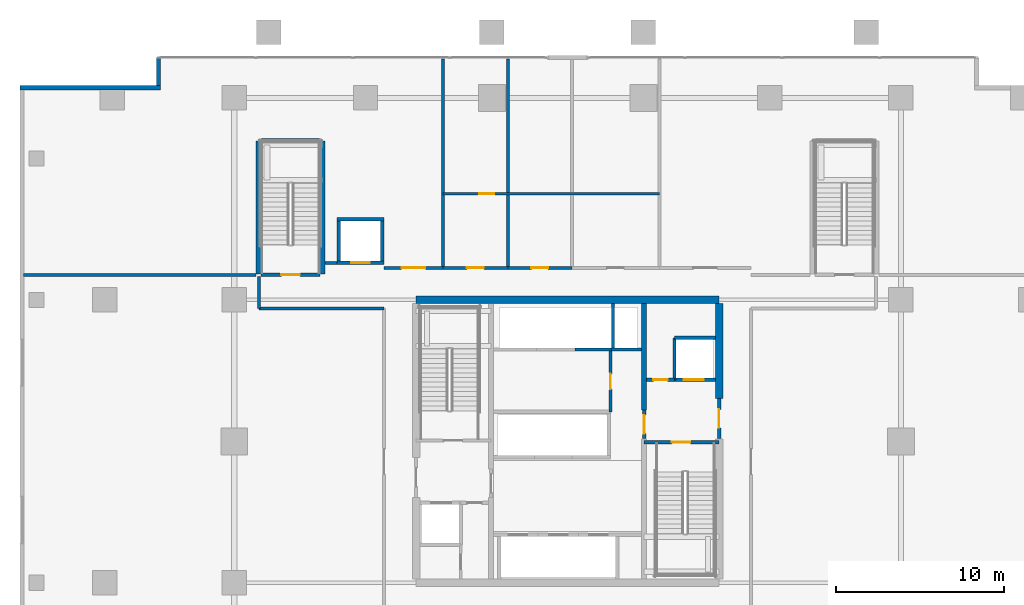
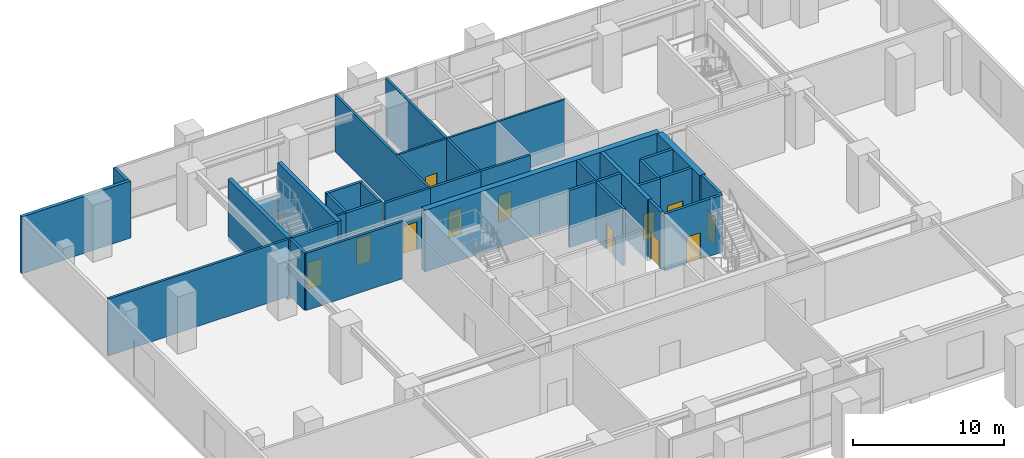
# One storey, part 14 of 20: 34 walls, 12 doors, 12 openings.
"""IFC4 building model written with IfcOpenShell, lengths in metres."""

import ifcopenshell
import ifcopenshell.guid

model = None  # the IFC model being written
_history = None  # IfcOwnerHistory: only IFC2X3 demands one
_inside = {}  # id of a spatial element -> (the spatial element, [elements in it])
_under = {}  # id of a project, library or spatial element -> (it, [spatial elements below it])
_declared = {}  # id of a project -> (the project, [libraries it declares])
_typed = {}  # id of a type object -> (the type object, [elements of that type])
_made_of = {}  # id of a material, layer set ... -> (it, [elements and type objects made of it])


def new_model(schema):
    """Start an empty IFC model of exactly this schema.

    Asked for "IFC4X3", IfcOpenShell would pick the latest addendum, in which some entities
    have other attributes; the version numbers below select the first issue.
    IFC2X3 requires an IfcOwnerHistory on every rooted entity: one is made here for all.
    """
    global model, _history
    if schema == "IFC4X3":
        model = ifcopenshell.file(schema_version=(4, 3, 0, 0))
    else:
        model = ifcopenshell.file(schema=schema)
    _inside.clear()
    _under.clear()
    _declared.clear()
    _typed.clear()
    _made_of.clear()
    _history = None
    if model.schema == "IFC2X3":
        org = make("IfcOrganization", Name="unknown")
        user = make(
            "IfcPersonAndOrganization",
            ThePerson=make("IfcPerson", FamilyName="unknown"),
            TheOrganization=org,
        )
        app = make(
            "IfcApplication",
            ApplicationDeveloper=org,
            Version="unknown",
            ApplicationFullName="unknown",
            ApplicationIdentifier="unknown",
        )
        _history = make(
            "IfcOwnerHistory",
            OwningUser=user,
            OwningApplication=app,
            ChangeAction="ADDED",
            CreationDate=0,
        )
    return model


def make(cls, **values):
    """One entity of the class cls with the attributes given. An attribute that is None is left unset."""
    return model.create_entity(
        cls, **{name: value for name, value in values.items() if value is not None}
    )


def rooted(cls, **values):
    """An entity with a GlobalId (a new one), such as an element, a storey or a relation."""
    return make(cls, GlobalId=ifcopenshell.guid.new(), OwnerHistory=_history, **values)


def si_unit(unit_type, name, prefix=None):
    """IfcSIUnit, for example si_unit("LENGTHUNIT", "METRE", prefix="MILLI")."""
    return make("IfcSIUnit", UnitType=unit_type, Prefix=prefix, Name=name)


def assignment(units):
    """IfcUnitAssignment: the units of a project."""
    return None if units is None else make("IfcUnitAssignment", Units=units)


def point(xyz):
    """IfcCartesianPoint."""
    return None if xyz is None else make("IfcCartesianPoint", Coordinates=xyz)


def direction(xyz):
    """IfcDirection."""
    return None if xyz is None else make("IfcDirection", DirectionRatios=xyz)


def frame(location, z_axis=None, x_axis=None):
    """IfcAxis2Placement3D, a coordinate frame: its origin and axes. An axis left out is left unset."""
    return make(
        "IfcAxis2Placement3D",
        Location=point(location),
        Axis=direction(z_axis),
        RefDirection=direction(x_axis),
    )


def frame_2d(location, x_axis=None):
    """IfcAxis2Placement2D, a coordinate frame in the plane: its origin and x axis."""
    return make(
        "IfcAxis2Placement2D", Location=point(location), RefDirection=direction(x_axis)
    )


def origin():
    """The frame at (0, 0, 0) with its axes left unset."""
    return frame((0.0, 0.0, 0.0))


def place(relative_to, where):
    """IfcLocalPlacement: puts the frame where relative to a parent placement (None: the world)."""
    return make(
        "IfcLocalPlacement", PlacementRelTo=relative_to, RelativePlacement=where
    )


def context(
    kind, dimensions, precision=None, world=None, true_north=None, identifier=None
):
    """IfcGeometricRepresentationContext, for example the 3D "Model" context."""
    return make(
        "IfcGeometricRepresentationContext",
        ContextIdentifier=identifier,
        ContextType=kind,
        CoordinateSpaceDimension=dimensions,
        Precision=precision,
        WorldCoordinateSystem=world,
        TrueNorth=true_north,
    )


def subcontext(parent, identifier, kind, view, scale=None):
    """IfcGeometricRepresentationSubContext, for example "Body" below "Model"."""
    return make(
        "IfcGeometricRepresentationSubContext",
        ContextIdentifier=identifier,
        ContextType=kind,
        ParentContext=parent,
        TargetScale=scale,
        TargetView=view,
    )


def project(units=None, contexts=None):
    """IfcProject with its units and contexts."""
    return rooted(
        "IfcProject",
        Name="project",
        RepresentationContexts=contexts,
        UnitsInContext=assignment(units),
    )


def spatial(cls, under=None, at=None, **own):
    """A site, building, storey or space (cls), placed at a placement, below another one or the project."""
    s = rooted(cls, ObjectPlacement=at, **own)
    if under is not None:
        _under.setdefault(under.id(), (under, []))[1].append(s)
    return s


def profile(cls, at=None, kind="AREA", **sizes):
    """A parametric profile (cls). Its sizes go by their IFC names, for example OverallWidth=200.0."""
    return make(cls, ProfileType=kind, Position=at, **sizes)


def rectangle(**sizes):
    """IfcRectangleProfileDef."""
    return profile("IfcRectangleProfileDef", **sizes)


def extrude(swept, where, along, depth):
    """IfcExtrudedAreaSolid: the profile swept, set in the frame where, extruded along a direction by depth."""
    return make(
        "IfcExtrudedAreaSolid",
        SweptArea=swept,
        Position=where,
        ExtrudedDirection=direction(along),
        Depth=depth,
    )


def shape(context_of_items, identifier, shape_type, items):
    """IfcShapeRepresentation: the items that make up one representation, for example the "Body"."""
    return make(
        "IfcShapeRepresentation",
        ContextOfItems=context_of_items,
        RepresentationIdentifier=identifier,
        RepresentationType=shape_type,
        Items=items,
    )


def source(mapping_origin, context_of_items, identifier, shape_type, items):
    """IfcRepresentationMap: a shape defined once, which mapped items show again and again."""
    return make(
        "IfcRepresentationMap",
        MappingOrigin=mapping_origin,
        MappedRepresentation=shape(context_of_items, identifier, shape_type, items),
    )


def transform(
    local_origin,
    x_axis=None,
    y_axis=None,
    z_axis=None,
    scale=None,
    scale2=None,
    scale3=None,
    uniform=True,
):
    """IfcCartesianTransformationOperator3D, or its non-uniform kind. x_axis, y_axis, z_axis: its Axis1, 2, 3."""
    if uniform:
        return make(
            "IfcCartesianTransformationOperator3D",
            Axis1=direction(x_axis),
            Axis2=direction(y_axis),
            LocalOrigin=point(local_origin),
            Scale=scale,
            Axis3=direction(z_axis),
        )
    return make(
        "IfcCartesianTransformationOperator3DnonUniform",
        Axis1=direction(x_axis),
        Axis2=direction(y_axis),
        LocalOrigin=point(local_origin),
        Scale=scale,
        Axis3=direction(z_axis),
        Scale2=scale2,
        Scale3=scale3,
    )


def mapped(mapping_source, mapping_target):
    """IfcMappedItem: shows the shape of a source again, moved by a transform."""
    return make(
        "IfcMappedItem", MappingSource=mapping_source, MappingTarget=mapping_target
    )


def material(Name=None, Category=None):
    """IfcMaterial."""
    return make("IfcMaterial", Name=Name, Category=Category)


def layer(
    of_material, thickness, ventilated=None, Name=None, Category=None, Priority=None
):
    """IfcMaterialLayer: one layer of a wall or slab, of a material (None: an air gap)."""
    return make(
        "IfcMaterialLayer",
        Material=of_material,
        LayerThickness=thickness,
        IsVentilated=ventilated,
        Name=Name,
        Category=Category,
        Priority=Priority,
    )


def layer_set(layers, Name=None):
    """IfcMaterialLayerSet."""
    return make("IfcMaterialLayerSet", MaterialLayers=layers, LayerSetName=Name)


def made_of(thing, what):
    """Note that an element or type object is made of a material, layer set ...; save() writes the relation."""
    if what is not None:
        _made_of.setdefault(what.id(), (what, []))[1].append(thing)
    return thing


def type_object(cls, material=None, **own):
    """A type object (cls), such as IfcWallType, which elements share."""
    return made_of(rooted(cls, **own), material)


def element(
    cls,
    number,
    at=None,
    inside=None,
    cuts=None,
    type_object=None,
    material=None,
    context=None,
    identifier="Body",
    shape_type=None,
    held_by="IfcProductDefinitionShape",
    body=None,
    shapes=None,
    **own,
):
    """One element of the class cls, such as IfcWall. Its Tag is "e" and its number.

    at: its placement. inside: the storey or other place that contains it. cuts: it is an
    opening in that element (IfcRelVoidsElement). A single representation is given by context,
    identifier, shape_type and body (its items); several are given by shapes. held_by: the class
    of the entity that holds the representations. save() writes the other relations.
    """
    e = rooted(cls, Tag="e%d" % number, ObjectPlacement=at, **own)
    if body is not None:
        shapes = [shape(context, identifier, shape_type, body)]
    if shapes is not None:
        e.Representation = make(held_by, Representations=shapes)
    if inside is not None:
        _inside.setdefault(inside.id(), (inside, []))[1].append(e)
    if cuts is not None:
        rooted(
            "IfcRelVoidsElement", RelatingBuildingElement=cuts, RelatedOpeningElement=e
        )
    if type_object is not None:
        _typed.setdefault(type_object.id(), (type_object, []))[1].append(e)
    return made_of(e, material)


def fill(opening, filler):
    """IfcRelFillsElement: the door or window that sits in an opening."""
    return rooted(
        "IfcRelFillsElement",
        RelatingOpeningElement=opening,
        RelatedBuildingElement=filler,
    )


def aggregate(whole, parts):
    """IfcRelAggregates: a whole, such as a stair, and the parts it consists of."""
    return rooted("IfcRelAggregates", RelatingObject=whole, RelatedObjects=parts)


def save(model, path):
    """Write the relations noted so far, then the file.

    IfcRelAggregates (storeys below a building ...), IfcRelContainedInSpatialStructure (elements
    in a storey), IfcRelDefinesByType, IfcRelAssociatesMaterial and IfcRelDeclares: one each for
    every whole, place, type object, material and project.
    """
    for whole, parts in _under.values():
        aggregate(whole, parts)
    for where, things in _inside.values():
        rooted(
            "IfcRelContainedInSpatialStructure",
            RelatedElements=things,
            RelatingStructure=where,
        )
    for kind, things in _typed.values():
        rooted("IfcRelDefinesByType", RelatedObjects=things, RelatingType=kind)
    for what, things in _made_of.values():
        rooted("IfcRelAssociatesMaterial", RelatedObjects=things, RelatingMaterial=what)
    for by, libraries in _declared.values():
        rooted("IfcRelDeclares", RelatingContext=by, RelatedDefinitions=libraries)
    model.write(path)


model = new_model("IFC4")

# Units and contexts
model_context = context("Model", 3, precision=1e-05, world=origin(), true_north=direction((0.0, 1.0)))
body_context = subcontext(model_context, "Body", "Model", "MODEL_VIEW")
ifc_project = project(units=[si_unit("LENGTHUNIT", "METRE"), si_unit("AREAUNIT", "SQUARE_METRE"), si_unit("VOLUMEUNIT", "CUBIC_METRE"), si_unit("PLANEANGLEUNIT", "RADIAN"), si_unit("MASSUNIT", "GRAM", prefix="KILO")], contexts=[model_context])

# Site, building, storey
site_placement = place(None, origin())
site = spatial("IfcSite", under=ifc_project, at=site_placement, CompositionType="ELEMENT")
building_placement = place(site_placement, origin())
building = spatial("IfcBuilding", under=site, at=building_placement, Name="Serunith Strait Residences", CompositionType="ELEMENT")
storey_placement = place(building_placement, frame((0.0, 0.0, 5.5)))
storey = spatial("IfcBuildingStorey", under=building, at=storey_placement, Name="L01", CompositionType="ELEMENT", Elevation=5.5)

# Walls
ifc_material_1 = material(Name="Pale-Silver Aluminium Terracotta-Backed Wall", Category="masonry")
ifc_layer_1 = layer(ifc_material_1, 0.25, Name="Pale-Silver Aluminium Terracotta-Backed Wall")
ifc_layer_set_1 = layer_set([ifc_layer_1], Name="Pale-Silver Aluminium Terracotta-Backed Wall")
wall_type_1 = type_object("IfcWallType", Name="EW-POD-250", PredefinedType="ELEMENTEDWALL", material=ifc_layer_set_1)
wall_1_placement = place(storey_placement, frame((8.10009765625, 48.0, 0.0), z_axis=(0.0, 0.0, 1.0), x_axis=(0.0, -1.0, 0.0)))
element("IfcWall", 1, at=wall_1_placement, inside=storey, type_object=wall_type_1, Name="L01 Podium Envelope Wall 10", PredefinedType="ELEMENTEDWALL", context=body_context, shape_type="SweptSolid", body=[
    extrude(rectangle(XDim=1.675048828125, YDim=0.25, at=frame_2d((0.83740234375, 0.0))), origin(), (0.0, 0.0, 1.0), 4.60498046875),
])
wall_2_placement = place(storey_placement, frame((8.22509765625, 46.199951171875, 0.0), z_axis=(0.0, 0.0, 1.0), x_axis=(-1.0, 0.0, 0.0)))
element("IfcWall", 2, at=wall_2_placement, inside=storey, type_object=wall_type_1, Name="L01 Podium Envelope Wall 11", PredefinedType="ELEMENTEDWALL", context=body_context, shape_type="SweptSolid", body=[
    extrude(rectangle(XDim=8.35009765625, YDim=0.25, at=frame_2d((4.175048828125, 0.0))), origin(), (0.0, 0.0, 1.0), 4.60498046875),
])

# Wall, opening, door
ifc_material_2 = material(Name="Fire-rated masonry service closet wall", Category="masonry")
ifc_layer_2 = layer(ifc_material_2, 0.14990234375, Name="Fire-rated masonry service closet wall")
ifc_layer_set_2 = layer_set([ifc_layer_2], Name="Fire-rated masonry service closet wall")
wall_type_2 = type_object("IfcWallType", Name="IW-BOH-150", PredefinedType="PARTITIONING", material=ifc_layer_set_2)
wall_3_placement = place(storey_placement, frame((25.0, 39.89990234375, 0.0), z_axis=(0.0, 0.0, 1.0), x_axis=(1.0, 0.0, 0.0)))
wall_3 = element("IfcWall", 3, at=wall_3_placement, inside=storey, type_object=wall_type_2, Name="L01 Partition Wall 040", PredefinedType="PARTITIONING", context=body_context, shape_type="SweptSolid", body=[
    extrude(rectangle(XDim=12.85009765625, YDim=0.14990234375, at=frame_2d((6.425048828125, 0.0))), origin(), (0.0, 0.0, 1.0), 4.6201171875),
])
opening_1_placement = place(wall_3_placement, frame((2.15087890625, 0.0, 0.0)))
opening_1 = element("IfcOpeningElement", 4, at=opening_1_placement, cuts=wall_3, Name="Opening FD-900", PredefinedType="OPENING", context=body_context, shape_type="SweptSolid", body=[
    extrude(rectangle(XDim=0.89990234375, YDim=2.10009765625, at=frame_2d((0.449951171875, 1.050048828125))), frame((0.0, 0.0849609375, 0.0), z_axis=(0.0, -1.0, 0.0), x_axis=(1.0, 0.0, 0.0)), (0.0, 0.0, 1.0), 0.169921875),
])
ifc_material_3 = material(Name="Powder-coated steel riser door", Category="steel")
door_type_1 = type_object("IfcDoorType", Name="FD-BOH-900", OperationType="NOTDEFINED", PredefinedType="DOOR", material=ifc_material_3)
shared_shape_1 = source(origin(), body_context, "Body", "SweptSolid", [
    extrude(rectangle(XDim=0.89990234375, YDim=2.10009765625, at=frame_2d((0.449951171875, 1.050048828125))), frame((0.0, 0.02490234375, 0.0), z_axis=(0.0, -1.0, 0.0), x_axis=(1.0, 0.0, 0.0)), (0.0, 0.0, 1.0), 0.050048828125),
])
door_1_placement = place(opening_1_placement, origin())
door_1 = element("IfcDoor", 5, at=door_1_placement, inside=storey, type_object=door_type_1, Name="L01 Linen Store Door", OperationType="SINGLE_SWING_RIGHT", OverallHeight=2.10009765625, OverallWidth=0.89990234375, PredefinedType="DOOR", context=body_context, shape_type="MappedRepresentation", body=[
    mapped(shared_shape_1, transform((0.0, 0.0, 0.0), scale=1.0)),
])
fill(opening_1, door_1)

# Walls
ifc_material_4 = material(Name="Fire-rated acoustic gypsum partition")
ifc_layer_3 = layer(ifc_material_4, 0.179931640625, Name="Fire-rated acoustic gypsum partition")
ifc_layer_set_3 = layer_set([ifc_layer_3], Name="Fire-rated acoustic gypsum partition")
wall_type_3 = type_object("IfcWallType", Name="IW-CORR-180", PredefinedType="PARTITIONING", material=ifc_layer_set_3)
wall_4_placement = place(storey_placement, frame((0.08203125, 35.080078125, 0.0), z_axis=(0.0, 0.0, 1.0), x_axis=(1.0, 0.0, 0.0)))
element("IfcWall", 6, at=wall_4_placement, inside=storey, type_object=wall_type_3, Name="L01 Partition Wall 016", PredefinedType="PARTITIONING", context=body_context, shape_type="SweptSolid", body=[
    extrude(rectangle(XDim=13.81787109375, YDim=0.179931640625, at=frame_2d((6.908935546875, 0.0))), origin(), (0.0, 0.0, 1.0), 4.6201171875),
])
wall_5_placement = place(storey_placement, frame((14.080078125, 33.080078125, 0.0), z_axis=(0.0, 0.0, 1.0), x_axis=(1.0, 0.0, 0.0)))
element("IfcWall", 7, at=wall_5_placement, inside=storey, type_object=wall_type_3, Name="L01 Partition Wall 017", PredefinedType="PARTITIONING", context=body_context, shape_type="SweptSolid", body=[
    extrude(rectangle(XDim=7.419921875, YDim=0.179931640625, at=frame_2d((3.7099609375, 0.0))), origin(), (0.0, 0.0, 1.0), 4.6201171875),
])
wall_6_placement = place(storey_placement, frame((18.0, 35.800048828125, 0.0), z_axis=(0.0, 0.0, 1.0), x_axis=(1.0, 0.0, 0.0)))
element("IfcWall", 8, at=wall_6_placement, inside=storey, type_object=wall_type_3, Name="L01 Partition Wall 018", PredefinedType="PARTITIONING", context=body_context, shape_type="SweptSolid", body=[
    extrude(rectangle(XDim=0.697998046875, YDim=0.179931640625, at=frame_2d((0.34912109375, 0.0))), origin(), (0.0, 0.0, 1.0), 4.6201171875),
])
wall_7_placement = place(storey_placement, frame((14.080078125, 33.080078125, 0.0), z_axis=(0.0, 0.0, 1.0), x_axis=(0.0, 1.0, 0.0)))
element("IfcWall", 9, at=wall_7_placement, inside=storey, type_object=wall_type_3, Name="L01 Partition Wall 022", PredefinedType="PARTITIONING", context=body_context, shape_type="SweptSolid", body=[
    extrude(rectangle(XDim=1.919921875, YDim=0.179931640625, at=frame_2d((0.9599609375, 0.0))), origin(), (0.0, 0.0, 1.0), 4.6201171875),
])
for number, where, z_axis, x_axis, name in (
    (10, (25.0, 35.5, 0.0), (0.0, 0.0, 1.0), (0.0, 1.0, 0.0), "L01 Partition Wall 026"),
    (11, (28.85009765625, 35.5, 0.0), (0.0, 0.0, 1.0), (0.0, 1.0, 0.0), "L01 Partition Wall 027"),
):
    element("IfcWall", number, at=place(storey_placement, frame(where, z_axis=z_axis, x_axis=x_axis)), inside=storey, type_object=wall_type_3, Name=name, PredefinedType="PARTITIONING", context=body_context, shape_type="SweptSolid", body=[
        extrude(rectangle(XDim=12.41796875, YDim=0.179931640625, at=frame_2d((6.208984375, 0.0))), origin(), (0.0, 0.0, 1.0), 4.6201171875),
    ])

# Wall, opening, door
wall_8_placement = place(storey_placement, frame((21.5, 35.5, 0.0), z_axis=(0.0, 0.0, 1.0), x_axis=(1.0, 0.0, 0.0)))
wall_8 = element("IfcWall", 12, at=wall_8_placement, inside=storey, type_object=wall_type_3, Name="L01 Partition Wall 033", PredefinedType="PARTITIONING", context=body_context, shape_type="SweptSolid", body=[
    extrude(rectangle(XDim=3.5, YDim=0.179931640625, at=frame_2d((1.75, 0.0))), origin(), (0.0, 0.0, 1.0), 4.6201171875),
])
opening_2_placement = place(wall_8_placement, frame((1.050048828125, 0.0, 0.0)))
opening_2 = element("IfcOpeningElement", 13, at=opening_2_placement, cuts=wall_8, Name="Opening D-POD1400", PredefinedType="OPENING", context=body_context, shape_type="SweptSolid", body=[
    extrude(rectangle(XDim=1.39990234375, YDim=2.25, at=frame_2d((0.699951171875, 1.125))), frame((0.0, 0.10009765625, 0.0), z_axis=(0.0, -1.0, 0.0), x_axis=(1.0, 0.0, 0.0)), (0.0, 0.0, 1.0), 0.199951171875),
])
ifc_material_5 = material(Name="Pale-champagne aluminium glazed suite door", Category="aluminium")
door_type_2 = type_object("IfcDoorType", Name="ID-POD-1400", OperationType="DOUBLE_DOOR_SINGLE_SWING", PredefinedType="DOOR", material=ifc_material_5)
shared_shape_2 = source(origin(), body_context, "Body", "SweptSolid", [
    extrude(rectangle(XDim=1.39990234375, YDim=2.25, at=frame_2d((0.699951171875, 1.125))), frame((0.0, 0.02490234375, 0.0), z_axis=(0.0, -1.0, 0.0), x_axis=(1.0, 0.0, 0.0)), (0.0, 0.0, 1.0), 0.050048828125),
])
door_2_placement = place(opening_2_placement, origin())
door_2 = element("IfcDoor", 14, at=door_2_placement, inside=storey, type_object=door_type_2, Name="L01 North-West Room Door", OperationType="DOUBLE_DOOR_SINGLE_SWING", OverallHeight=2.25, OverallWidth=1.39990234375, PredefinedType="DOOR", context=body_context, shape_type="MappedRepresentation", body=[
    mapped(shared_shape_2, transform((0.0, 0.0, 0.0), scale=1.0)),
])
fill(opening_2, door_2)

wall_9_placement = place(storey_placement, frame((25.001953125, 35.5, 0.0), z_axis=(0.0, 0.0, 1.0), x_axis=(1.0, 0.0, 0.0)))
wall_9 = element("IfcWall", 15, at=wall_9_placement, inside=storey, type_object=wall_type_3, Name="L01 Partition Wall 034", PredefinedType="PARTITIONING", context=body_context, shape_type="SweptSolid", body=[
    extrude(rectangle(XDim=3.84814453125, YDim=0.179931640625, at=frame_2d((1.924072265625, 0.0))), origin(), (0.0, 0.0, 1.0), 4.6201171875),
])
opening_3_placement = place(wall_9_placement, frame((1.424072265625, 0.0, 0.0)))
opening_3 = element("IfcOpeningElement", 16, at=opening_3_placement, cuts=wall_9, Name="Opening D-APT1000", PredefinedType="OPENING", context=body_context, shape_type="SweptSolid", body=[
    extrude(rectangle(XDim=1.0, YDim=2.14990234375, at=frame_2d((0.5, 1.074951171875))), frame((0.0, 0.10009765625, 0.0), z_axis=(0.0, -1.0, 0.0), x_axis=(1.0, 0.0, 0.0)), (0.0, 0.0, 1.0), 0.199951171875),
])
ifc_material_6 = material(Name="Solid timber engineered fire door", Category="wood")
door_type_3 = type_object("IfcDoorType", Name="ID-APT-1000", OperationType="NOTDEFINED", PredefinedType="DOOR", material=ifc_material_6)
shared_shape_3 = source(origin(), body_context, "Body", "SweptSolid", [
    extrude(rectangle(XDim=1.0, YDim=2.14990234375, at=frame_2d((0.5, 1.074951171875))), frame((0.0, 0.02490234375, 0.0), z_axis=(0.0, -1.0, 0.0), x_axis=(1.0, 0.0, 0.0)), (0.0, 0.0, 1.0), 0.050048828125),
])
door_3_placement = place(opening_3_placement, origin())
door_3 = element("IfcDoor", 17, at=door_3_placement, inside=storey, type_object=door_type_3, Name="L01 Accessible WC Door", OperationType="SINGLE_SWING_RIGHT", OverallHeight=2.14990234375, OverallWidth=1.0, PredefinedType="DOOR", context=body_context, shape_type="MappedRepresentation", body=[
    mapped(shared_shape_3, transform((0.0, 0.0, 0.0), scale=1.0)),
])
fill(opening_3, door_3)

wall_10_placement = place(storey_placement, frame((28.85205078125, 35.5, 0.0), z_axis=(0.0, 0.0, 1.0), x_axis=(1.0, 0.0, 0.0)))
wall_10 = element("IfcWall", 18, at=wall_10_placement, inside=storey, type_object=wall_type_3, Name="L01 Partition Wall 035", PredefinedType="PARTITIONING", context=body_context, shape_type="SweptSolid", body=[
    extrude(rectangle(XDim=3.7978515625, YDim=0.179931640625, at=frame_2d((1.89892578125, 0.0))), origin(), (0.0, 0.0, 1.0), 4.6201171875),
])
opening_4_placement = place(wall_10_placement, frame((1.39892578125, 0.0, 0.0)))
opening_4 = element("IfcOpeningElement", 19, at=opening_4_placement, cuts=wall_10, Name="Opening D-APT1000", PredefinedType="OPENING", context=body_context, shape_type="SweptSolid", body=[
    extrude(rectangle(XDim=1.0, YDim=2.14990234375, at=frame_2d((0.5, 1.074951171875))), frame((0.0, 0.10009765625, 0.0), z_axis=(0.0, -1.0, 0.0), x_axis=(1.0, 0.0, 0.0)), (0.0, 0.0, 1.0), 0.199951171875),
])
door_4_placement = place(opening_4_placement, origin())
door_4 = element("IfcDoor", 20, at=door_4_placement, inside=storey, type_object=door_type_3, Name="L01 Public Male WC Door", OperationType="SINGLE_SWING_LEFT", OverallHeight=2.14990234375, OverallWidth=1.0, PredefinedType="DOOR", context=body_context, shape_type="MappedRepresentation", body=[
    mapped(shared_shape_3, transform((0.0, 0.0, 0.0), scale=1.0)),
])
fill(opening_4, door_4)

ifc_material_7 = material(Name="Autoclaved aerated concrete blockwork", Category="masonry")
ifc_layer_4 = layer(ifc_material_7, 0.199951171875, Name="Autoclaved aerated concrete blockwork")
ifc_layer_set_4 = layer_set([ifc_layer_4], Name="Autoclaved aerated concrete blockwork")
wall_type_4 = type_object("IfcWallType", Name="IW-SHAFT-200", PredefinedType="STANDARD", material=ifc_layer_set_4)
wall_11_placement = place(storey_placement, frame((36.949951171875, 25.14990234375, 0.0), z_axis=(0.0, 0.0, 1.0), x_axis=(1.0, 0.0, 0.0)))
wall_11 = element("IfcWall", 21, at=wall_11_placement, inside=storey, type_object=wall_type_4, Name="L01 ST-2 North Shaft Wall", PredefinedType="STANDARD", context=body_context, shape_type="SweptSolid", body=[
    extrude(rectangle(XDim=4.449951171875, YDim=0.199951171875, at=frame_2d((2.22509765625, 0.0))), origin(), (0.0, 0.0, 1.0), 4.6201171875),
])
opening_5_placement = place(wall_11_placement, frame((1.64990234375, 0.0, 0.0)))
opening_5 = element("IfcOpeningElement", 22, at=opening_5_placement, cuts=wall_11, Name="Opening FD-1100", PredefinedType="OPENING", context=body_context, shape_type="SweptSolid", body=[
    extrude(rectangle(XDim=1.10009765625, YDim=2.14990234375, at=frame_2d((0.550048828125, 1.074951171875))), frame((0.0, 0.10986328125, 0.0), z_axis=(0.0, -1.0, 0.0), x_axis=(1.0, 0.0, 0.0)), (0.0, 0.0, 1.0), 0.219970703125),
])
ifc_material_8 = material(Name="Galvanised steel fire door leaf", Category="steel")
door_type_4 = type_object("IfcDoorType", Name="FD-STAIR-1100", OperationType="NOTDEFINED", PredefinedType="DOOR", material=ifc_material_8)
shared_shape_4 = source(origin(), body_context, "Body", "SweptSolid", [
    extrude(rectangle(XDim=1.10009765625, YDim=2.14990234375, at=frame_2d((0.550048828125, 1.074951171875))), frame((0.0, 0.02490234375, 0.0), z_axis=(0.0, -1.0, 0.0), x_axis=(1.0, 0.0, 0.0)), (0.0, 0.0, 1.0), 0.050048828125),
])
door_5_placement = place(opening_5_placement, origin())
door_5 = element("IfcDoor", 23, at=door_5_placement, inside=storey, type_object=door_type_4, Name="L01 ST-2 Escape Stair Door", OperationType="SINGLE_SWING_RIGHT", OverallHeight=2.14990234375, OverallWidth=1.10009765625, PredefinedType="DOOR", context=body_context, shape_type="MappedRepresentation", body=[
    mapped(shared_shape_4, transform((0.0, 0.0, 0.0), scale=1.0)),
])
fill(opening_5, door_5)

wall_12_placement = place(storey_placement, frame((14.199951171875, 35.10009765625, 0.0), z_axis=(0.0, 0.0, 1.0), x_axis=(1.0, 0.0, 0.0)))
wall_12 = element("IfcWall", 24, at=wall_12_placement, inside=storey, type_object=wall_type_4, Name="L01 ST-3 South Shaft Wall", PredefinedType="STANDARD", context=body_context, shape_type="SweptSolid", body=[
    extrude(rectangle(XDim=3.5, YDim=0.199951171875, at=frame_2d((1.75, 0.0))), origin(), (0.0, 0.0, 1.0), 4.6201171875),
])
opening_6_placement = place(wall_12_placement, frame((1.199951171875, 0.0, 0.0)))
opening_6 = element("IfcOpeningElement", 25, at=opening_6_placement, cuts=wall_12, Name="Opening FD-1100", PredefinedType="OPENING", context=body_context, shape_type="SweptSolid", body=[
    extrude(rectangle(XDim=1.10009765625, YDim=2.14990234375, at=frame_2d((0.550048828125, 1.074951171875))), frame((0.0, 0.10986328125, 0.0), z_axis=(0.0, -1.0, 0.0), x_axis=(1.0, 0.0, 0.0)), (0.0, 0.0, 1.0), 0.219970703125),
])
door_6_placement = place(opening_6_placement, origin())
door_6 = element("IfcDoor", 26, at=door_6_placement, inside=storey, type_object=door_type_4, Name="L01 ST-3 Escape Stair Door", OperationType="SINGLE_SWING_LEFT", OverallHeight=2.14990234375, OverallWidth=1.10009765625, PredefinedType="DOOR", context=body_context, shape_type="MappedRepresentation", body=[
    mapped(shared_shape_4, transform((0.0, 0.0, 0.0), scale=1.0)),
])
fill(opening_6, door_6)

# Wall
wall_13_placement = place(storey_placement, frame((14.199951171875, 43.10009765625, 0.0), z_axis=(0.0, 0.0, 1.0), x_axis=(1.0, 0.0, 0.0)))
element("IfcWall", 27, at=wall_13_placement, inside=storey, type_object=wall_type_4, Name="L01 ST-3 North Shaft Wall", PredefinedType="STANDARD", context=body_context, shape_type="SweptSolid", body=[
    extrude(rectangle(XDim=3.5, YDim=0.199951171875, at=frame_2d((1.75, 0.0))), origin(), (0.0, 0.0, 1.0), 1.985107421875),
])

# Wall, opening, door
wall_14_placement = place(storey_placement, frame((38.75, 28.85009765625, 0.0), z_axis=(0.0, 0.0, 1.0), x_axis=(1.0, 0.0, 0.0)))
wall_14 = element("IfcWall", 28, at=wall_14_placement, inside=storey, type_object=wall_type_4, Name="L01 FL-2 South Shaft Wall", PredefinedType="STANDARD", context=body_context, shape_type="SweptSolid", body=[
    extrude(rectangle(XDim=2.425048828125, YDim=0.199951171875, at=frame_2d((1.21240234375, 0.0))), origin(), (0.0, 0.0, 1.0), 4.6201171875),
])
opening_7_placement = place(wall_14_placement, frame((0.550048828125, 0.0, 0.0)))
opening_7 = element("IfcOpeningElement", 29, at=opening_7_placement, cuts=wall_14, Name="Opening LD-FF1200", PredefinedType="OPENING", context=body_context, shape_type="SweptSolid", body=[
    extrude(rectangle(XDim=1.199951171875, YDim=2.199951171875, at=frame_2d((0.60009765625, 1.10009765625))), frame((0.0, 0.10986328125, 0.0), z_axis=(0.0, -1.0, 0.0), x_axis=(1.0, 0.0, 0.0)), (0.0, 0.0, 1.0), 0.219970703125),
])
ifc_material_9 = material(Name="Brushed stainless steel landing door", Category="steel")
door_type_5 = type_object("IfcDoorType", Name="LD-FF-1200", OperationType="DOUBLE_DOOR_SLIDING", PredefinedType="DOOR", material=ifc_material_9)
shared_shape_5 = source(origin(), body_context, "Body", "SweptSolid", [
    extrude(rectangle(XDim=1.199951171875, YDim=2.199951171875, at=frame_2d((0.60009765625, 1.10009765625))), frame((0.0, 0.02490234375, 0.0), z_axis=(0.0, -1.0, 0.0), x_axis=(1.0, 0.0, 0.0)), (0.0, 0.0, 1.0), 0.050048828125),
])
door_7_placement = place(opening_7_placement, origin())
door_7 = element("IfcDoor", 30, at=door_7_placement, inside=storey, type_object=door_type_5, Name="L01 FL-2 Landing Door", OperationType="DOUBLE_DOOR_SLIDING", OverallHeight=2.199951171875, OverallWidth=1.199951171875, PredefinedType="DOOR", context=body_context, shape_type="MappedRepresentation", body=[
    mapped(shared_shape_5, transform((0.0, 0.0, 0.0), scale=1.0)),
])
fill(opening_7, door_7)

# Walls
wall_15_placement = place(storey_placement, frame((32.85009765625, 30.64990234375, 0.0), z_axis=(0.0, 0.0, 1.0), x_axis=(1.0, 0.0, 0.0)))
element("IfcWall", 31, at=wall_15_placement, inside=storey, type_object=wall_type_4, Name="L01 PL-9 South Shaft Wall", PredefinedType="STANDARD", context=body_context, shape_type="SweptSolid", body=[
    extrude(rectangle(XDim=2.14990234375, YDim=0.199951171875, at=frame_2d((1.074951171875, 0.0))), origin(), (0.0, 0.0, 1.0), 4.6201171875),
])
wall_16_placement = place(storey_placement, frame((35.0, 30.64990234375, 0.0), z_axis=(0.0, 0.0, 1.0), x_axis=(1.0, 0.0, 0.0)))
element("IfcWall", 32, at=wall_16_placement, inside=storey, type_object=wall_type_4, Name="L01 SL-1 South Shaft Wall", PredefinedType="STANDARD", context=body_context, shape_type="SweptSolid", body=[
    extrude(rectangle(XDim=1.800048828125, YDim=0.199951171875, at=frame_2d((0.89990234375, 0.0))), origin(), (0.0, 0.0, 1.0), 4.6201171875),
])
wall_17_placement = place(storey_placement, frame((35.10009765625, 30.75, 0.0), z_axis=(0.0, 0.0, 1.0), x_axis=(0.0, 1.0, 0.0)))
element("IfcWall", 33, at=wall_17_placement, inside=storey, type_object=wall_type_4, Name="L01 SL-1 West Shaft Wall", PredefinedType="STANDARD", context=body_context, shape_type="SweptSolid", body=[
    extrude(rectangle(XDim=2.625, YDim=0.199951171875, at=frame_2d((1.3125, 0.0))), origin(), (0.0, 0.0, 1.0), 4.6201171875),
])

# Wall, opening, door
wall_18_placement = place(storey_placement, frame((18.699951171875, 35.800048828125, 0.0), z_axis=(0.0, 0.0, 1.0), x_axis=(1.0, 0.0, 0.0)))
wall_18 = element("IfcWall", 34, at=wall_18_placement, inside=storey, type_object=wall_type_4, Name="L01 SV-1 South Shaft Wall", PredefinedType="STANDARD", context=body_context, shape_type="SweptSolid", body=[
    extrude(rectangle(XDim=2.800048828125, YDim=0.199951171875, at=frame_2d((1.39990234375, 0.0))), origin(), (0.0, 0.0, 1.0), 4.6201171875),
])
opening_8_placement = place(wall_18_placement, frame((0.85009765625, 0.0, 0.0)))
opening_8 = element("IfcOpeningElement", 35, at=opening_8_placement, cuts=wall_18, Name="Opening LD-1100", PredefinedType="OPENING", context=body_context, shape_type="SweptSolid", body=[
    extrude(rectangle(XDim=1.10009765625, YDim=2.199951171875, at=frame_2d((0.550048828125, 1.10009765625))), frame((0.0, 0.10986328125, 0.0), z_axis=(0.0, -1.0, 0.0), x_axis=(1.0, 0.0, 0.0)), (0.0, 0.0, 1.0), 0.219970703125),
])
ifc_material_10 = material(Name="Pale-champagne stainless landing door")
door_type_6 = type_object("IfcDoorType", Name="LD-LIFT-1100", OperationType="DOUBLE_DOOR_SLIDING", PredefinedType="DOOR", material=ifc_material_10)
shared_shape_6 = source(origin(), body_context, "Body", "SweptSolid", [
    extrude(rectangle(XDim=1.10009765625, YDim=2.199951171875, at=frame_2d((0.550048828125, 1.10009765625))), frame((0.0, 0.02490234375, 0.0), z_axis=(0.0, -1.0, 0.0), x_axis=(1.0, 0.0, 0.0)), (0.0, 0.0, 1.0), 0.050048828125),
])
door_8_placement = place(opening_8_placement, origin())
door_8 = element("IfcDoor", 36, at=door_8_placement, inside=storey, type_object=door_type_6, Name="L01 SV-1 Landing Door", OperationType="DOUBLE_DOOR_SLIDING", OverallHeight=2.199951171875, OverallWidth=1.10009765625, PredefinedType="DOOR", context=body_context, shape_type="MappedRepresentation", body=[
    mapped(shared_shape_6, transform((0.0, 0.0, 0.0), scale=1.0)),
])
fill(opening_8, door_8)

# Walls
for number, where, z_axis, x_axis, name in (
    (37, (18.800048828125, 35.89990234375, 0.0), (0.0, 0.0, 1.0), (0.0, 1.0, 0.0), "L01 SV-1 West Shaft Wall"),
    (38, (21.39990234375, 35.89990234375, 0.0), (0.0, 0.0, 1.0), (0.0, 1.0, 0.0), "L01 SV-1 East Shaft Wall"),
):
    element("IfcWall", number, at=place(storey_placement, frame(where, z_axis=z_axis, x_axis=x_axis)), inside=storey, type_object=wall_type_4, Name=name, PredefinedType="STANDARD", context=body_context, shape_type="SweptSolid", body=[
        extrude(rectangle(XDim=2.400146484375, YDim=0.199951171875, at=frame_2d((1.2001953125, 0.0))), origin(), (0.0, 0.0, 1.0), 4.6201171875),
    ])
wall_19_placement = place(storey_placement, frame((18.699951171875, 38.39990234375, 0.0), z_axis=(0.0, 0.0, 1.0), x_axis=(1.0, 0.0, 0.0)))
element("IfcWall", 39, at=wall_19_placement, inside=storey, type_object=wall_type_4, Name="L01 SV-1 North Shaft Wall", PredefinedType="STANDARD", context=body_context, shape_type="SweptSolid", body=[
    extrude(rectangle(XDim=2.800048828125, YDim=0.199951171875, at=frame_2d((1.39990234375, 0.0))), origin(), (0.0, 0.0, 1.0), 4.6201171875),
])
wall_20_placement = place(storey_placement, frame((38.75, 28.85009765625, 0.0), z_axis=(0.0, 0.0, 1.0), x_axis=(0.0, 1.0, 0.0)))
element("IfcWall", 40, at=wall_20_placement, inside=storey, type_object=wall_type_4, Name="L01 Partition Wall 004", PredefinedType="STANDARD", context=body_context, shape_type="SweptSolid", body=[
    extrude(rectangle(XDim=2.5, YDim=0.199951171875, at=frame_2d((1.25, 0.0))), origin(), (0.0, 0.0, 1.0), 4.6201171875),
])
wall_21_placement = place(storey_placement, frame((38.75, 31.35009765625, 0.0), z_axis=(0.0, 0.0, 1.0), x_axis=(1.0, 0.0, 0.0)))
element("IfcWall", 41, at=wall_21_placement, inside=storey, type_object=wall_type_4, Name="L01 Partition Wall 005", PredefinedType="STANDARD", context=body_context, shape_type="SweptSolid", body=[
    extrude(rectangle(XDim=2.425048828125, YDim=0.199951171875, at=frame_2d((1.21240234375, 0.0))), origin(), (0.0, 0.0, 1.0), 4.6201171875),
])

# Wall, opening, door
wall_22_placement = place(storey_placement, frame((37.10009765625, 28.85009765625, 0.0), z_axis=(0.0, 0.0, 1.0), x_axis=(1.0, 0.0, 0.0)))
wall_22 = element("IfcWall", 42, at=wall_22_placement, inside=storey, type_object=wall_type_4, Name="L01 Partition Wall 006", PredefinedType="STANDARD", context=body_context, shape_type="SweptSolid", body=[
    extrude(rectangle(XDim=1.64794921875, YDim=0.199951171875, at=frame_2d((0.823974609375, 0.0))), origin(), (0.0, 0.0, 1.0), 4.6201171875),
])
opening_9_placement = place(wall_22_placement, frame((0.39892578125, 0.0, 0.0)))
opening_9 = element("IfcOpeningElement", 43, at=opening_9_placement, cuts=wall_22, Name="Opening FD-850", PredefinedType="OPENING", context=body_context, shape_type="SweptSolid", body=[
    extrude(rectangle(XDim=0.85009765625, YDim=2.10009765625, at=frame_2d((0.425048828125, 1.050048828125))), frame((0.0, 0.10986328125, 0.0), z_axis=(0.0, -1.0, 0.0), x_axis=(1.0, 0.0, 0.0)), (0.0, 0.0, 1.0), 0.219970703125),
])
ifc_material_11 = material(Name="Powder-coated steel service closet door", Category="steel")
door_type_7 = type_object("IfcDoorType", Name="FD-BOH-850", OperationType="NOTDEFINED", PredefinedType="DOOR", material=ifc_material_11)
shared_shape_7 = source(origin(), body_context, "Body", "SweptSolid", [
    extrude(rectangle(XDim=0.85009765625, YDim=2.10009765625, at=frame_2d((0.425048828125, 1.050048828125))), frame((0.0, 0.02490234375, 0.0), z_axis=(0.0, -1.0, 0.0), x_axis=(1.0, 0.0, 0.0)), (0.0, 0.0, 1.0), 0.050048828125),
])
door_9_placement = place(opening_9_placement, origin())
door_9 = element("IfcDoor", 44, at=door_9_placement, inside=storey, type_object=door_type_7, Name="L01 North-East Core Service Door", OperationType="SINGLE_SWING_LEFT", OverallHeight=2.10009765625, OverallWidth=0.85009765625, PredefinedType="DOOR", context=body_context, shape_type="MappedRepresentation", body=[
    mapped(shared_shape_7, transform((0.0, 0.0, 0.0), scale=1.0)),
])
fill(opening_9, door_9)

wall_23_placement = place(storey_placement, frame((41.39990234375, 25.35205078125, 0.0), z_axis=(0.0, 0.0, 1.0), x_axis=(0.0, 1.0, 0.0)))
wall_23 = element("IfcWall", 45, at=wall_23_placement, inside=storey, type_object=wall_type_4, Name="L01 Partition Wall 008", PredefinedType="STANDARD", context=body_context, shape_type="SweptSolid", body=[
    extrude(rectangle(XDim=2.39599609375, YDim=0.199951171875, at=frame_2d((1.197998046875, 0.0))), origin(), (0.0, 0.0, 1.0), 4.6201171875),
])
opening_10_placement = place(wall_23_placement, frame((0.64794921875, 0.0, 0.0)))
opening_10 = element("IfcOpeningElement", 46, at=opening_10_placement, cuts=wall_23, Name="Opening FD-FFL", PredefinedType="OPENING", context=body_context, shape_type="SweptSolid", body=[
    extrude(rectangle(XDim=1.10009765625, YDim=2.14990234375, at=frame_2d((0.550048828125, 1.074951171875))), frame((0.0, 0.10986328125, 0.0), z_axis=(0.0, -1.0, 0.0), x_axis=(1.0, 0.0, 0.0)), (0.0, 0.0, 1.0), 0.219970703125),
])
ifc_material_12 = material(Name="Glazed steel smoke-lobby fire door", Category="steel")
door_type_8 = type_object("IfcDoorType", Name="FD-FFL-1100", OperationType="NOTDEFINED", PredefinedType="DOOR", material=ifc_material_12)
door_10_placement = place(opening_10_placement, origin())
door_10 = element("IfcDoor", 47, at=door_10_placement, inside=storey, type_object=door_type_8, Name="L01 FFL-2 Corridor Fire Door", OperationType="SINGLE_SWING_LEFT", OverallHeight=2.14990234375, OverallWidth=1.10009765625, PredefinedType="DOOR", context=body_context, shape_type="MappedRepresentation", body=[
    mapped(shared_shape_4, transform((0.0, 0.0, 0.0), scale=1.0)),
])
fill(opening_10, door_10)

wall_24_placement = place(storey_placement, frame((36.949951171875, 25.35205078125, 0.0), z_axis=(0.0, 0.0, 1.0), x_axis=(0.0, 1.0, 0.0)))
wall_24 = element("IfcWall", 48, at=wall_24_placement, inside=storey, type_object=wall_type_4, Name="L01 Partition Wall 010", PredefinedType="STANDARD", context=body_context, shape_type="SweptSolid", body=[
    extrude(rectangle(XDim=1.696044921875, YDim=0.199951171875, at=frame_2d((0.84814453125, 0.0))), origin(), (0.0, 0.0, 1.0), 4.6201171875),
])
opening_11_placement = place(wall_24_placement, frame((0.298095703125, 0.0, 0.0)))
opening_11 = element("IfcOpeningElement", 49, at=opening_11_placement, cuts=wall_24, Name="Opening FD-FFL", PredefinedType="OPENING", context=body_context, shape_type="SweptSolid", body=[
    extrude(rectangle(XDim=1.10009765625, YDim=2.14990234375, at=frame_2d((0.550048828125, 1.074951171875))), frame((0.0, 0.10986328125, 0.0), z_axis=(0.0, -1.0, 0.0), x_axis=(1.0, 0.0, 0.0)), (0.0, 0.0, 1.0), 0.219970703125),
])
door_11_placement = place(opening_11_placement, origin())
door_11 = element("IfcDoor", 50, at=door_11_placement, inside=storey, type_object=door_type_8, Name="L01 FFL-2 Lift Lobby Door", OperationType="SINGLE_SWING_LEFT", OverallHeight=2.14990234375, OverallWidth=1.10009765625, PredefinedType="DOOR", context=body_context, shape_type="MappedRepresentation", body=[
    mapped(shared_shape_4, transform((0.0, 0.0, 0.0), scale=1.0)),
])
fill(opening_11, door_11)

wall_25_placement = place(storey_placement, frame((34.949951171875, 26.949951171875, 0.0), z_axis=(0.0, 0.0, 1.0), x_axis=(0.0, 1.0, 0.0)))
wall_25 = element("IfcWall", 51, at=wall_25_placement, inside=storey, type_object=wall_type_4, Name="L01 Partition Wall 013", PredefinedType="STANDARD", context=body_context, shape_type="SweptSolid", body=[
    extrude(rectangle(XDim=3.60009765625, YDim=0.199951171875, at=frame_2d((1.800048828125, 0.0))), origin(), (0.0, 0.0, 1.0), 4.6201171875),
])
opening_12_placement = place(wall_25_placement, frame((1.35009765625, 0.0, 0.0)))
opening_12 = element("IfcOpeningElement", 52, at=opening_12_placement, cuts=wall_25, Name="Opening FD-900", PredefinedType="OPENING", context=body_context, shape_type="SweptSolid", body=[
    extrude(rectangle(XDim=0.89990234375, YDim=2.10009765625, at=frame_2d((0.449951171875, 1.050048828125))), frame((0.0, 0.10986328125, 0.0), z_axis=(0.0, -1.0, 0.0), x_axis=(1.0, 0.0, 0.0)), (0.0, 0.0, 1.0), 0.219970703125),
])
door_12_placement = place(opening_12_placement, origin())
door_12 = element("IfcDoor", 53, at=door_12_placement, inside=storey, type_object=door_type_1, Name="L01 Core Switchroom Door", OperationType="SINGLE_SWING_LEFT", OverallHeight=2.10009765625, OverallWidth=0.89990234375, PredefinedType="DOOR", context=body_context, shape_type="MappedRepresentation", body=[
    mapped(shared_shape_1, transform((0.0, 0.0, 0.0), scale=1.0)),
])
fill(opening_12, door_12)

# Walls
ifc_material_13 = material(Name="Concrete C60/75", Category="concrete")
ifc_layer_5 = layer(ifc_material_13, 0.300048828125, Name="Concrete C60/75")
ifc_layer_set_5 = layer_set([ifc_layer_5], Name="Concrete C60/75")
wall_type_5 = type_object("IfcWallType", Name="SW-300-C60", PredefinedType="SHEAR", material=ifc_layer_set_5)
for number, where, z_axis, x_axis, name in (
    (54, (14.050048828125, 35.14990234375, -0.3798828125), (0.0, 0.0, 1.0), (0.0, 1.0, 0.0), "L01 ST-3 West Structural Shaft Wall"),
    (55, (17.85009765625, 35.14990234375, -0.3798828125), (0.0, 0.0, 1.0), (0.0, 1.0, 0.0), "L01 ST-3 East Structural Shaft Wall"),
):
    element("IfcWall", number, at=place(storey_placement, frame(where, z_axis=z_axis, x_axis=x_axis)), inside=storey, type_object=wall_type_5, Name=name, PredefinedType="SHEAR", context=body_context, shape_type="SweptSolid", body=[
        extrude(rectangle(XDim=7.900146484375, YDim=0.300048828125, at=frame_2d((3.9501953125, 0.0))), origin(), (0.0, 0.0, 1.0), 4.997802734375),
    ])
ifc_material_14 = material(Name="Concrete C80/95", Category="concrete")
ifc_layer_6 = layer(ifc_material_14, 0.300048828125, Name="Concrete C80/95")
ifc_layer_set_6 = layer_set([ifc_layer_6], Name="Concrete C80/95")
wall_type_6 = type_object("IfcWallType", Name="SW-300-C80", PredefinedType="SHEAR", material=ifc_layer_set_6)
wall_26_placement = place(storey_placement, frame((36.949951171875, 27.050048828125, -0.3798828125), z_axis=(0.0, 0.0, 1.0), x_axis=(0.0, 1.0, 0.0)))
element("IfcWall", 56, at=wall_26_placement, inside=storey, type_object=wall_type_6, Name="L01 Core Internal East Web North Pier", PredefinedType="SHEAR", context=body_context, shape_type="SweptSolid", body=[
    extrude(rectangle(XDim=6.324951171875, YDim=0.300048828125, at=frame_2d((3.16259765625, 0.0))), origin(), (0.0, 0.0, 1.0), 4.997802734375),
])
ifc_layer_7 = layer(ifc_material_14, 0.449951171875, Name="Concrete C80/95")
ifc_layer_set_7 = layer_set([ifc_layer_7], Name="Concrete C80/95")
wall_type_7 = type_object("IfcWallType", Name="SW-450-C80", PredefinedType="SHEAR", material=ifc_layer_set_7)
wall_27_placement = place(storey_placement, frame((41.39990234375, 33.60009765625, -0.3798828125), z_axis=(0.0, 0.0, 1.0), x_axis=(-1.0, 0.0, 0.0)))
element("IfcWall", 57, at=wall_27_placement, inside=storey, type_object=wall_type_7, Name="L01 Core North Shear Wall", PredefinedType="SHEAR", context=body_context, shape_type="SweptSolid", body=[
    extrude(rectangle(XDim=18.0, YDim=0.449951171875, at=frame_2d((9.0, 0.0))), origin(), (0.0, 0.0, 1.0), 4.997802734375),
])
wall_28_placement = place(storey_placement, frame((41.39990234375, 27.75, -0.3798828125), z_axis=(0.0, 0.0, 1.0), x_axis=(0.0, 1.0, 0.0)))
element("IfcWall", 58, at=wall_28_placement, inside=storey, type_object=wall_type_7, Name="L01 Core East Shear Wall North Pier", PredefinedType="SHEAR", context=body_context, shape_type="SweptSolid", body=[
    extrude(rectangle(XDim=5.625, YDim=0.449951171875, at=frame_2d((2.8125, 0.0))), origin(), (0.0, 0.0, 1.0), 4.997802734375),
])

save(model, "model.ifc")
